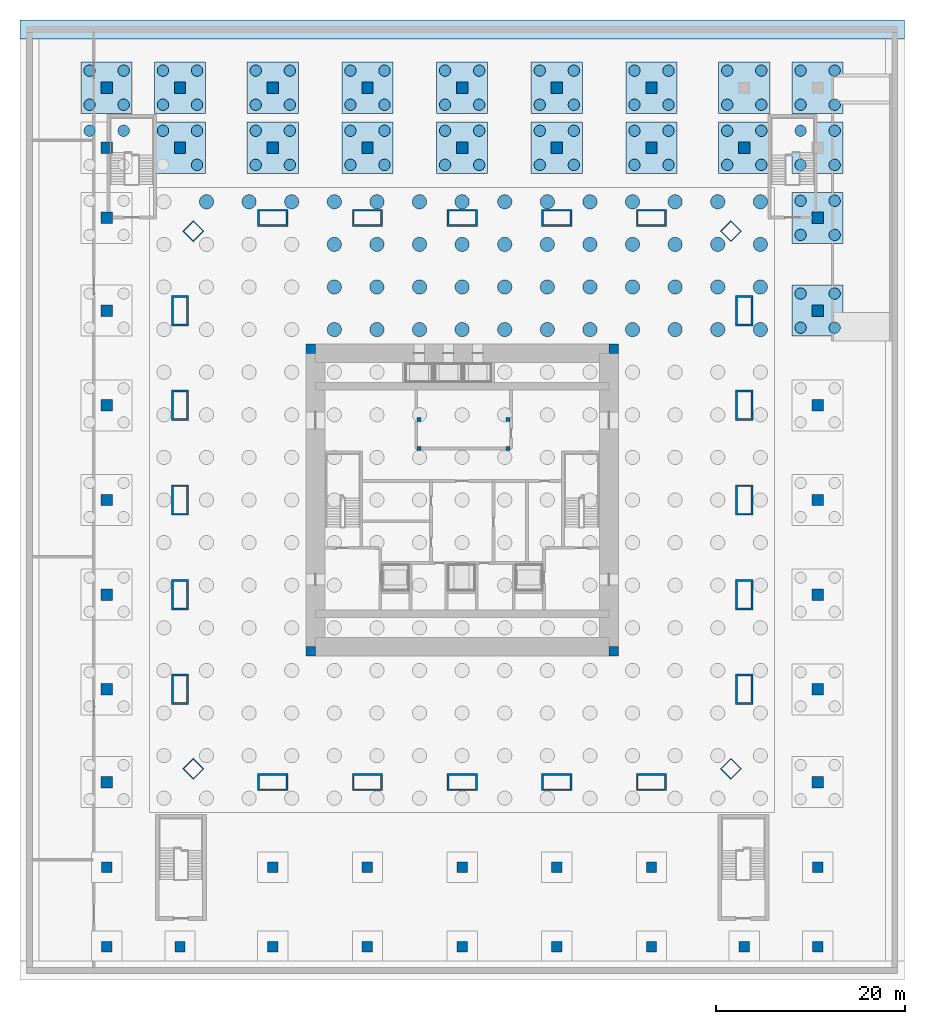
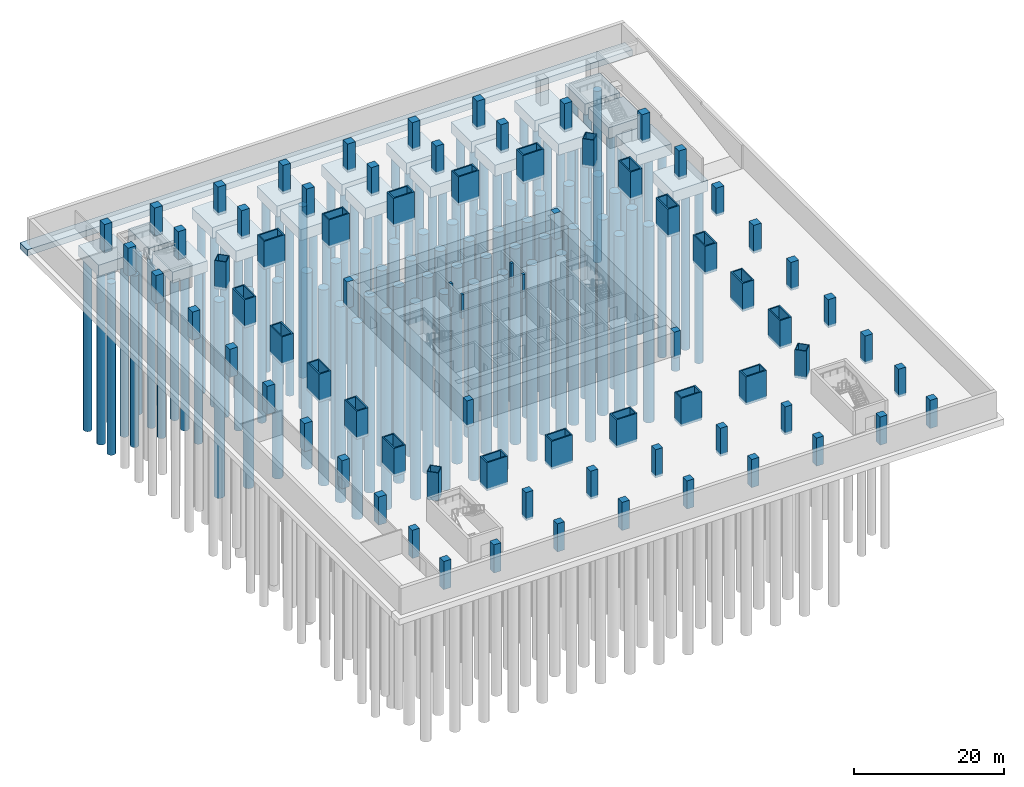
# One storey, part 2 of 11: 124 piles, 77 columns, 20 footings.
"""IFC4 building model written with IfcOpenShell, lengths in metres."""

from ifc_helpers import new_model, si_unit, direction, frame, origin, origin_2d, place, context, subcontext, project, spatial, polyline, rectangle, hollow_rectangle, circle, outline, extrude, material, layer, layer_set, material_profile, profile_set, type_object, element, save


model = new_model("IFC4")

# Units and contexts
model_context = context("Model", 3, precision=1e-05, world=origin(), true_north=direction((0.0, 1.0)))
body_context = subcontext(model_context, "Body", "Model", "MODEL_VIEW")
ifc_project = project(units=[si_unit("LENGTHUNIT", "METRE"), si_unit("AREAUNIT", "SQUARE_METRE"), si_unit("VOLUMEUNIT", "CUBIC_METRE"), si_unit("PLANEANGLEUNIT", "RADIAN"), si_unit("MASSUNIT", "GRAM", prefix="KILO")], contexts=[model_context])

# Site, building, storey
site_placement = place(None, origin())
site = spatial("IfcSite", under=ifc_project, at=site_placement, CompositionType="ELEMENT")
building_placement = place(site_placement, origin())
building = spatial("IfcBuilding", under=site, at=building_placement, Name="Khuree Lantern Residences", CompositionType="ELEMENT")
storey_placement = place(building_placement, frame((0.0, 0.0, -13.199951171875)))
storey = spatial("IfcBuildingStorey", under=building, at=storey_placement, Name="B3", CompositionType="ELEMENT", Elevation=-13.199951171875)

# Piles
ifc_material_1 = material(Name="Concrete C35/45", Category="concrete")
ifc_material_profile_1 = material_profile(ifc_material_1, circle(Radius=0.75, at=origin_2d()), Name="BORED PILE D1500")
ifc_profile_set_1 = profile_set([ifc_material_profile_1], Name="Concrete C35/45")
pile_type_1 = type_object("IfcPileType", Name="BP1 RAFT PILE BORED PILE D1500", PredefinedType="BORED", material=ifc_profile_set_1)
for number, where, z_axis, x_axis, name in (
    (1, (-13.5, 18.0, -4.900146484375), (0.0, 0.0, -1.0), (1.0, 0.0, 0.0), "Raft pile 165"),
    (2, (-9.0, 18.0, -4.900146484375), (0.0, 0.0, -1.0), (1.0, 0.0, 0.0), "Raft pile 166"),
    (3, (-4.5, 18.0, -4.900146484375), (0.0, 0.0, -1.0), (1.0, 0.0, 0.0), "Raft pile 167"),
    (4, (0.0, 18.0, -4.900146484375), (0.0, 0.0, -1.0), (1.0, 0.0, 0.0), "Raft pile 168"),
    (5, (4.5, 18.0, -4.900146484375), (0.0, 0.0, -1.0), (1.0, 0.0, 0.0), "Raft pile 169"),
    (6, (9.0, 18.0, -4.900146484375), (0.0, 0.0, -1.0), (1.0, 0.0, 0.0), "Raft pile 170"),
    (7, (13.5, 18.0, -4.900146484375), (0.0, 0.0, -1.0), (1.0, 0.0, 0.0), "Raft pile 171"),
    (8, (18.0, 18.0, -4.900146484375), (0.0, 0.0, -1.0), (1.0, 0.0, 0.0), "Raft pile 172"),
    (9, (22.5, 18.0, -4.900146484375), (0.0, 0.0, -1.0), (1.0, 0.0, 0.0), "Raft pile 173"),
    (10, (27.0, 18.0, -4.900146484375), (0.0, 0.0, -1.0), (1.0, 0.0, 0.0), "Raft pile 174"),
    (11, (31.5, 18.0, -4.900146484375), (0.0, 0.0, -1.0), (1.0, 0.0, 0.0), "Raft pile 175"),
    (12, (-13.5, 22.5, -4.900146484375), (0.0, 0.0, -1.0), (1.0, 0.0, 0.0), "Raft pile 180"),
    (13, (-9.0, 22.5, -4.900146484375), (0.0, 0.0, -1.0), (1.0, 0.0, 0.0), "Raft pile 181"),
    (14, (-4.5, 22.5, -4.900146484375), (0.0, 0.0, -1.0), (1.0, 0.0, 0.0), "Raft pile 182"),
    (15, (0.0, 22.5, -4.900146484375), (0.0, 0.0, -1.0), (1.0, 0.0, 0.0), "Raft pile 183"),
    (16, (4.5, 22.5, -4.900146484375), (0.0, 0.0, -1.0), (1.0, 0.0, 0.0), "Raft pile 184"),
    (17, (9.0, 22.5, -4.900146484375), (0.0, 0.0, -1.0), (1.0, 0.0, 0.0), "Raft pile 185"),
    (18, (13.5, 22.5, -4.900146484375), (0.0, 0.0, -1.0), (1.0, 0.0, 0.0), "Raft pile 186"),
    (19, (18.0, 22.5, -4.900146484375), (0.0, 0.0, -1.0), (1.0, 0.0, 0.0), "Raft pile 187"),
    (20, (22.5, 22.5, -4.900146484375), (0.0, 0.0, -1.0), (1.0, 0.0, 0.0), "Raft pile 188"),
    (21, (27.0, 22.5, -4.900146484375), (0.0, 0.0, -1.0), (1.0, 0.0, 0.0), "Raft pile 189"),
    (22, (31.5, 22.5, -4.900146484375), (0.0, 0.0, -1.0), (1.0, 0.0, 0.0), "Raft pile 190"),
    (23, (-13.5, 27.0, -4.900146484375), (0.0, 0.0, -1.0), (1.0, 0.0, 0.0), "Raft pile 195"),
    (24, (-9.0, 27.0, -4.900146484375), (0.0, 0.0, -1.0), (1.0, 0.0, 0.0), "Raft pile 196"),
    (25, (-4.5, 27.0, -4.900146484375), (0.0, 0.0, -1.0), (1.0, 0.0, 0.0), "Raft pile 197"),
    (26, (0.0, 27.0, -4.900146484375), (0.0, 0.0, -1.0), (1.0, 0.0, 0.0), "Raft pile 198"),
    (27, (4.5, 27.0, -4.900146484375), (0.0, 0.0, -1.0), (1.0, 0.0, 0.0), "Raft pile 199"),
    (28, (9.0, 27.0, -4.900146484375), (0.0, 0.0, -1.0), (1.0, 0.0, 0.0), "Raft pile 200"),
    (29, (13.5, 27.0, -4.900146484375), (0.0, 0.0, -1.0), (1.0, 0.0, 0.0), "Raft pile 201"),
    (30, (18.0, 27.0, -4.900146484375), (0.0, 0.0, -1.0), (1.0, 0.0, 0.0), "Raft pile 202"),
    (31, (22.5, 27.0, -4.900146484375), (0.0, 0.0, -1.0), (1.0, 0.0, 0.0), "Raft pile 203"),
    (32, (27.0, 27.0, -4.900146484375), (0.0, 0.0, -1.0), (1.0, 0.0, 0.0), "Raft pile 204"),
    (33, (31.5, 27.0, -4.900146484375), (0.0, 0.0, -1.0), (1.0, 0.0, 0.0), "Raft pile 205"),
    (34, (-27.0, 31.5, -4.900146484375), (0.0, 0.0, -1.0), (1.0, 0.0, 0.0), "Raft pile 207"),
    (35, (-22.5, 31.5, -4.900146484375), (0.0, 0.0, -1.0), (1.0, 0.0, 0.0), "Raft pile 208"),
    (36, (-18.0, 31.5, -4.900146484375), (0.0, 0.0, -1.0), (1.0, 0.0, 0.0), "Raft pile 209"),
    (37, (-13.5, 31.5, -4.900146484375), (0.0, 0.0, -1.0), (1.0, 0.0, 0.0), "Raft pile 210"),
    (38, (-9.0, 31.5, -4.900146484375), (0.0, 0.0, -1.0), (1.0, 0.0, 0.0), "Raft pile 211"),
    (39, (-4.5, 31.5, -4.900146484375), (0.0, 0.0, -1.0), (1.0, 0.0, 0.0), "Raft pile 212"),
    (40, (0.0, 31.5, -4.900146484375), (0.0, 0.0, -1.0), (1.0, 0.0, 0.0), "Raft pile 213"),
    (41, (4.5, 31.5, -4.900146484375), (0.0, 0.0, -1.0), (1.0, 0.0, 0.0), "Raft pile 214"),
    (42, (9.0, 31.5, -4.900146484375), (0.0, 0.0, -1.0), (1.0, 0.0, 0.0), "Raft pile 215"),
    (43, (13.5, 31.5, -4.900146484375), (0.0, 0.0, -1.0), (1.0, 0.0, 0.0), "Raft pile 216"),
    (44, (18.0, 31.5, -4.900146484375), (0.0, 0.0, -1.0), (1.0, 0.0, 0.0), "Raft pile 217"),
    (45, (22.5, 31.5, -4.900146484375), (0.0, 0.0, -1.0), (1.0, 0.0, 0.0), "Raft pile 218"),
    (46, (27.0, 31.5, -4.900146484375), (0.0, 0.0, -1.0), (1.0, 0.0, 0.0), "Raft pile 219"),
    (47, (31.5, 31.5, -4.900146484375), (0.0, 0.0, -1.0), (1.0, 0.0, 0.0), "Raft pile 220"),
):
    element("IfcPile", number, at=place(storey_placement, frame(where, z_axis=z_axis, x_axis=x_axis)), inside=storey, type_object=pile_type_1, Name=name, PredefinedType="BORED", context=body_context, shape_type="SweptSolid", body=[
        extrude(circle(Radius=0.75, at=origin_2d()), origin(), (0.0, 0.0, 1.0), 32.0),
    ])
ifc_material_profile_2 = material_profile(ifc_material_1, circle(Radius=0.60009765625, at=origin_2d()), Name="BORED PILE D1200")
ifc_profile_set_2 = profile_set([ifc_material_profile_2], Name="Concrete C35/45")
pile_type_2 = type_object("IfcPileType", Name="BP2 CAP PILE BORED PILE D1200", PredefinedType="BORED", material=ifc_profile_set_2)
for number, where, z_axis, x_axis, name in (
    (48, (35.75, 18.199951171875, -2.199951171875), (0.0, 0.0, -1.0), (1.0, 0.0, 0.0), "Cap pile PCP-28 1"),
    (49, (39.35009765625, 18.199951171875, -2.199951171875), (0.0, 0.0, -1.0), (1.0, 0.0, 0.0), "Cap pile PCP-28 2"),
    (50, (39.35009765625, 21.800048828125, -2.199951171875), (0.0, 0.0, -1.0), (1.0, 0.0, 0.0), "Cap pile PCP-28 3"),
    (51, (35.75, 21.800048828125, -2.199951171875), (0.0, 0.0, -1.0), (1.0, 0.0, 0.0), "Cap pile PCP-28 4"),
    (52, (35.75, 28.0, -2.199951171875), (0.0, 0.0, -1.0), (1.0, 0.0, 0.0), "Cap pile PCP-30 1"),
    (53, (39.35009765625, 28.0, -2.199951171875), (0.0, 0.0, -1.0), (1.0, 0.0, 0.0), "Cap pile PCP-30 2"),
    (54, (39.35009765625, 31.60009765625, -2.199951171875), (0.0, 0.0, -1.0), (1.0, 0.0, 0.0), "Cap pile PCP-30 3"),
    (55, (35.75, 31.60009765625, -2.199951171875), (0.0, 0.0, -1.0), (1.0, 0.0, 0.0), "Cap pile PCP-30 4"),
    (56, (-35.75, 39.0, -2.199951171875), (0.0, 0.0, -1.0), (1.0, 0.0, 0.0), "Cap pile PCP-31 3"),
    (57, (-39.35009765625, 39.0, -2.199951171875), (0.0, 0.0, -1.0), (1.0, 0.0, 0.0), "Cap pile PCP-31 4"),
    (58, (-28.0, 35.39990234375, -2.199951171875), (0.0, 0.0, -1.0), (1.0, 0.0, 0.0), "Cap pile PCP-32 2"),
    (59, (-28.0, 39.0, -2.199951171875), (0.0, 0.0, -1.0), (1.0, 0.0, 0.0), "Cap pile PCP-32 3"),
    (60, (-31.60009765625, 39.0, -2.199951171875), (0.0, 0.0, -1.0), (1.0, 0.0, 0.0), "Cap pile PCP-32 4"),
    (61, (-21.800048828125, 35.39990234375, -2.199951171875), (0.0, 0.0, -1.0), (1.0, 0.0, 0.0), "Cap pile PCP-33 1"),
    (62, (-18.199951171875, 35.39990234375, -2.199951171875), (0.0, 0.0, -1.0), (1.0, 0.0, 0.0), "Cap pile PCP-33 2"),
    (63, (-18.199951171875, 39.0, -2.199951171875), (0.0, 0.0, -1.0), (1.0, 0.0, 0.0), "Cap pile PCP-33 3"),
    (64, (-21.800048828125, 39.0, -2.199951171875), (0.0, 0.0, -1.0), (1.0, 0.0, 0.0), "Cap pile PCP-33 4"),
    (65, (-11.800048828125, 35.39990234375, -2.199951171875), (0.0, 0.0, -1.0), (1.0, 0.0, 0.0), "Cap pile PCP-34 1"),
    (66, (-8.199951171875, 35.39990234375, -2.199951171875), (0.0, 0.0, -1.0), (1.0, 0.0, 0.0), "Cap pile PCP-34 2"),
    (67, (-8.199951171875, 39.0, -2.199951171875), (0.0, 0.0, -1.0), (1.0, 0.0, 0.0), "Cap pile PCP-34 3"),
    (68, (-11.800048828125, 39.0, -2.199951171875), (0.0, 0.0, -1.0), (1.0, 0.0, 0.0), "Cap pile PCP-34 4"),
    (69, (-1.800048828125, 35.39990234375, -2.199951171875), (0.0, 0.0, -1.0), (1.0, 0.0, 0.0), "Cap pile PCP-35 1"),
    (70, (1.800048828125, 35.39990234375, -2.199951171875), (0.0, 0.0, -1.0), (1.0, 0.0, 0.0), "Cap pile PCP-35 2"),
    (71, (1.800048828125, 39.0, -2.199951171875), (0.0, 0.0, -1.0), (1.0, 0.0, 0.0), "Cap pile PCP-35 3"),
    (72, (-1.800048828125, 39.0, -2.199951171875), (0.0, 0.0, -1.0), (1.0, 0.0, 0.0), "Cap pile PCP-35 4"),
    (73, (8.199951171875, 35.39990234375, -2.199951171875), (0.0, 0.0, -1.0), (1.0, 0.0, 0.0), "Cap pile PCP-36 1"),
    (74, (11.800048828125, 35.39990234375, -2.199951171875), (0.0, 0.0, -1.0), (1.0, 0.0, 0.0), "Cap pile PCP-36 2"),
    (75, (11.800048828125, 39.0, -2.199951171875), (0.0, 0.0, -1.0), (1.0, 0.0, 0.0), "Cap pile PCP-36 3"),
    (76, (8.199951171875, 39.0, -2.199951171875), (0.0, 0.0, -1.0), (1.0, 0.0, 0.0), "Cap pile PCP-36 4"),
    (77, (18.199951171875, 35.39990234375, -2.199951171875), (0.0, 0.0, -1.0), (1.0, 0.0, 0.0), "Cap pile PCP-37 1"),
    (78, (21.800048828125, 35.39990234375, -2.199951171875), (0.0, 0.0, -1.0), (1.0, 0.0, 0.0), "Cap pile PCP-37 2"),
    (79, (21.800048828125, 39.0, -2.199951171875), (0.0, 0.0, -1.0), (1.0, 0.0, 0.0), "Cap pile PCP-37 3"),
    (80, (18.199951171875, 39.0, -2.199951171875), (0.0, 0.0, -1.0), (1.0, 0.0, 0.0), "Cap pile PCP-37 4"),
    (81, (28.0, 35.39990234375, -2.199951171875), (0.0, 0.0, -1.0), (1.0, 0.0, 0.0), "Cap pile PCP-38 1"),
    (82, (31.60009765625, 35.39990234375, -2.199951171875), (0.0, 0.0, -1.0), (1.0, 0.0, 0.0), "Cap pile PCP-38 2"),
    (83, (31.60009765625, 39.0, -2.199951171875), (0.0, 0.0, -1.0), (1.0, 0.0, 0.0), "Cap pile PCP-38 3"),
    (84, (28.0, 39.0, -2.199951171875), (0.0, 0.0, -1.0), (1.0, 0.0, 0.0), "Cap pile PCP-38 4"),
    (85, (35.75, 35.39990234375, -2.199951171875), (0.0, 0.0, -1.0), (1.0, 0.0, 0.0), "Cap pile PCP-39 1"),
    (86, (39.35009765625, 35.39990234375, -2.199951171875), (0.0, 0.0, -1.0), (1.0, 0.0, 0.0), "Cap pile PCP-39 2"),
    (87, (39.35009765625, 39.0, -2.199951171875), (0.0, 0.0, -1.0), (1.0, 0.0, 0.0), "Cap pile PCP-39 3"),
    (88, (35.75, 39.0, -2.199951171875), (0.0, 0.0, -1.0), (1.0, 0.0, 0.0), "Cap pile PCP-39 4"),
    (89, (-39.35009765625, 41.75, -2.199951171875), (0.0, 0.0, -1.0), (1.0, 0.0, 0.0), "Cap pile PCP-40 1"),
    (90, (-35.75, 41.75, -2.199951171875), (0.0, 0.0, -1.0), (1.0, 0.0, 0.0), "Cap pile PCP-40 2"),
    (91, (-35.75, 45.35009765625, -2.199951171875), (0.0, 0.0, -1.0), (1.0, 0.0, 0.0), "Cap pile PCP-40 3"),
    (92, (-39.35009765625, 45.35009765625, -2.199951171875), (0.0, 0.0, -1.0), (1.0, 0.0, 0.0), "Cap pile PCP-40 4"),
    (93, (-31.60009765625, 41.75, -2.199951171875), (0.0, 0.0, -1.0), (1.0, 0.0, 0.0), "Cap pile PCP-41 1"),
    (94, (-28.0, 41.75, -2.199951171875), (0.0, 0.0, -1.0), (1.0, 0.0, 0.0), "Cap pile PCP-41 2"),
    (95, (-28.0, 45.35009765625, -2.199951171875), (0.0, 0.0, -1.0), (1.0, 0.0, 0.0), "Cap pile PCP-41 3"),
    (96, (-31.60009765625, 45.35009765625, -2.199951171875), (0.0, 0.0, -1.0), (1.0, 0.0, 0.0), "Cap pile PCP-41 4"),
    (97, (-21.800048828125, 41.75, -2.199951171875), (0.0, 0.0, -1.0), (1.0, 0.0, 0.0), "Cap pile PCP-42 1"),
    (98, (-18.199951171875, 41.75, -2.199951171875), (0.0, 0.0, -1.0), (1.0, 0.0, 0.0), "Cap pile PCP-42 2"),
    (99, (-18.199951171875, 45.35009765625, -2.199951171875), (0.0, 0.0, -1.0), (1.0, 0.0, 0.0), "Cap pile PCP-42 3"),
    (100, (-21.800048828125, 45.35009765625, -2.199951171875), (0.0, 0.0, -1.0), (1.0, 0.0, 0.0), "Cap pile PCP-42 4"),
    (101, (-11.800048828125, 41.75, -2.199951171875), (0.0, 0.0, -1.0), (1.0, 0.0, 0.0), "Cap pile PCP-43 1"),
    (102, (-8.199951171875, 41.75, -2.199951171875), (0.0, 0.0, -1.0), (1.0, 0.0, 0.0), "Cap pile PCP-43 2"),
    (103, (-8.199951171875, 45.35009765625, -2.199951171875), (0.0, 0.0, -1.0), (1.0, 0.0, 0.0), "Cap pile PCP-43 3"),
    (104, (-11.800048828125, 45.35009765625, -2.199951171875), (0.0, 0.0, -1.0), (1.0, 0.0, 0.0), "Cap pile PCP-43 4"),
    (105, (-1.800048828125, 41.75, -2.199951171875), (0.0, 0.0, -1.0), (1.0, 0.0, 0.0), "Cap pile PCP-44 1"),
    (106, (1.800048828125, 41.75, -2.199951171875), (0.0, 0.0, -1.0), (1.0, 0.0, 0.0), "Cap pile PCP-44 2"),
    (107, (1.800048828125, 45.35009765625, -2.199951171875), (0.0, 0.0, -1.0), (1.0, 0.0, 0.0), "Cap pile PCP-44 3"),
    (108, (-1.800048828125, 45.35009765625, -2.199951171875), (0.0, 0.0, -1.0), (1.0, 0.0, 0.0), "Cap pile PCP-44 4"),
    (109, (8.199951171875, 41.75, -2.199951171875), (0.0, 0.0, -1.0), (1.0, 0.0, 0.0), "Cap pile PCP-45 1"),
    (110, (11.800048828125, 41.75, -2.199951171875), (0.0, 0.0, -1.0), (1.0, 0.0, 0.0), "Cap pile PCP-45 2"),
    (111, (11.800048828125, 45.35009765625, -2.199951171875), (0.0, 0.0, -1.0), (1.0, 0.0, 0.0), "Cap pile PCP-45 3"),
    (112, (8.199951171875, 45.35009765625, -2.199951171875), (0.0, 0.0, -1.0), (1.0, 0.0, 0.0), "Cap pile PCP-45 4"),
    (113, (18.199951171875, 41.75, -2.199951171875), (0.0, 0.0, -1.0), (1.0, 0.0, 0.0), "Cap pile PCP-46 1"),
    (114, (21.800048828125, 41.75, -2.199951171875), (0.0, 0.0, -1.0), (1.0, 0.0, 0.0), "Cap pile PCP-46 2"),
    (115, (21.800048828125, 45.35009765625, -2.199951171875), (0.0, 0.0, -1.0), (1.0, 0.0, 0.0), "Cap pile PCP-46 3"),
    (116, (18.199951171875, 45.35009765625, -2.199951171875), (0.0, 0.0, -1.0), (1.0, 0.0, 0.0), "Cap pile PCP-46 4"),
    (117, (28.0, 41.75, -2.199951171875), (0.0, 0.0, -1.0), (1.0, 0.0, 0.0), "Cap pile PCP-47 1"),
    (118, (31.60009765625, 41.75, -2.199951171875), (0.0, 0.0, -1.0), (1.0, 0.0, 0.0), "Cap pile PCP-47 2"),
    (119, (31.60009765625, 45.35009765625, -2.199951171875), (0.0, 0.0, -1.0), (1.0, 0.0, 0.0), "Cap pile PCP-47 3"),
    (120, (28.0, 45.35009765625, -2.199951171875), (0.0, 0.0, -1.0), (1.0, 0.0, 0.0), "Cap pile PCP-47 4"),
    (121, (35.75, 41.75, -2.199951171875), (0.0, 0.0, -1.0), (1.0, 0.0, 0.0), "Cap pile PCP-48 1"),
    (122, (39.35009765625, 41.75, -2.199951171875), (0.0, 0.0, -1.0), (1.0, 0.0, 0.0), "Cap pile PCP-48 2"),
    (123, (39.35009765625, 45.35009765625, -2.199951171875), (0.0, 0.0, -1.0), (1.0, 0.0, 0.0), "Cap pile PCP-48 3"),
    (124, (35.75, 45.35009765625, -2.199951171875), (0.0, 0.0, -1.0), (1.0, 0.0, 0.0), "Cap pile PCP-48 4"),
):
    element("IfcPile", number, at=place(storey_placement, frame(where, z_axis=z_axis, x_axis=x_axis)), inside=storey, type_object=pile_type_2, Name=name, PredefinedType="BORED", context=body_context, shape_type="SweptSolid", body=[
        extrude(circle(Radius=0.60009765625, at=origin_2d()), origin(), (0.0, 0.0, 1.0), 28.0),
    ])

# Footings
ifc_material_2 = material(Name="Concrete C40/50", Category="concrete")
ifc_layer_1 = layer(ifc_material_2, 1.800048828125)
ifc_layer_set_1 = layer_set([ifc_layer_1], Name="CAP4 FOUR-PILE CAP")
footing_type_1 = type_object("IfcFootingType", Name="CAP4 FOUR-PILE CAP", PredefinedType="PILE_CAP", material=ifc_layer_set_1)
for number, where, z_axis, x_axis, name in (
    (125, (37.550048828125, 20.0, -2.2001953125), (0.0, 0.0, 1.0), (1.0, 0.0, 0.0), "Pile cap PCP-28"),
    (126, (37.550048828125, 29.800048828125, -2.2001953125), (0.0, 0.0, 1.0), (1.0, 0.0, 0.0), "Pile cap PCP-30"),
    (127, (-29.800048828125, 37.199951171875, -2.2001953125), (0.0, 0.0, 1.0), (1.0, 0.0, 0.0), "Pile cap PCP-32"),
    (128, (-20.0, 37.199951171875, -2.2001953125), (0.0, 0.0, 1.0), (1.0, 0.0, 0.0), "Pile cap PCP-33"),
    (129, (-10.0, 37.199951171875, -2.2001953125), (0.0, 0.0, 1.0), (1.0, 0.0, 0.0), "Pile cap PCP-34"),
    (130, (0.0, 37.199951171875, -2.2001953125), (0.0, 0.0, 1.0), (1.0, 0.0, 0.0), "Pile cap PCP-35"),
    (131, (10.0, 37.199951171875, -2.2001953125), (0.0, 0.0, 1.0), (1.0, 0.0, 0.0), "Pile cap PCP-36"),
    (132, (20.0, 37.199951171875, -2.2001953125), (0.0, 0.0, 1.0), (1.0, 0.0, 0.0), "Pile cap PCP-37"),
    (133, (29.800048828125, 37.199951171875, -2.2001953125), (0.0, 0.0, 1.0), (1.0, 0.0, 0.0), "Pile cap PCP-38"),
    (134, (37.550048828125, 37.199951171875, -2.2001953125), (0.0, 0.0, 1.0), (1.0, 0.0, 0.0), "Pile cap PCP-39"),
    (135, (-37.550048828125, 43.550048828125, -2.2001953125), (0.0, 0.0, 1.0), (1.0, 0.0, 0.0), "Pile cap PCP-40"),
    (136, (-29.800048828125, 43.550048828125, -2.2001953125), (0.0, 0.0, 1.0), (1.0, 0.0, 0.0), "Pile cap PCP-41"),
    (137, (-20.0, 43.550048828125, -2.2001953125), (0.0, 0.0, 1.0), (1.0, 0.0, 0.0), "Pile cap PCP-42"),
    (138, (-10.0, 43.550048828125, -2.2001953125), (0.0, 0.0, 1.0), (1.0, 0.0, 0.0), "Pile cap PCP-43"),
    (139, (0.0, 43.550048828125, -2.2001953125), (0.0, 0.0, 1.0), (1.0, 0.0, 0.0), "Pile cap PCP-44"),
    (140, (10.0, 43.550048828125, -2.2001953125), (0.0, 0.0, 1.0), (1.0, 0.0, 0.0), "Pile cap PCP-45"),
    (141, (20.0, 43.550048828125, -2.2001953125), (0.0, 0.0, 1.0), (1.0, 0.0, 0.0), "Pile cap PCP-46"),
    (142, (29.800048828125, 43.550048828125, -2.2001953125), (0.0, 0.0, 1.0), (1.0, 0.0, 0.0), "Pile cap PCP-47"),
    (143, (37.550048828125, 43.550048828125, -2.2001953125), (0.0, 0.0, 1.0), (1.0, 0.0, 0.0), "Pile cap PCP-48"),
):
    element("IfcFooting", number, at=place(storey_placement, frame(where, z_axis=z_axis, x_axis=x_axis)), inside=storey, type_object=footing_type_1, Name=name, PredefinedType="PILE_CAP", context=body_context, shape_type="SweptSolid", body=[
        extrude(rectangle(XDim=5.39990234375, YDim=5.39990234375, at=origin_2d()), origin(), (0.0, 0.0, 1.0), 1.800048828125),
    ])
ifc_layer_2 = layer(ifc_material_2, 1.0)
ifc_layer_set_2 = layer_set([ifc_layer_2], Name="SF1 STRIP FOOTING")
footing_type_2 = type_object("IfcFootingType", Name="SF1 STRIP FOOTING", PredefinedType="STRIP_FOOTING", material=ifc_layer_set_2)
footing_placement = place(storey_placement, frame((0.0, 0.0, -1.400146484375)))
element("IfcFooting", 144, at=footing_placement, inside=storey, type_object=footing_type_2, Name="Strip footing N", PredefinedType="STRIP_FOOTING", context=body_context, shape_type="SweptSolid", body=[
    extrude(outline(polyline([(46.699951171875, 48.699951171875), (-46.699951171875, 48.699951171875), (-46.699951171875, 50.699951171875), (46.699951171875, 50.699951171875), (46.699951171875, 48.699951171875)])), origin(), (0.0, 0.0, 1.0), 1.0),
])

# Columns
ifc_material_3 = material(Name="Steel S355 CFT welded box", Category="steel")
ifc_material_profile_3 = material_profile(ifc_material_3, hollow_rectangle(XDim=1.60009765625, YDim=1.60009765625, WallThickness=0.10009765625, at=origin_2d()), Name="WELDED BOX 1600X1600X100")
ifc_profile_set_3 = profile_set([ifc_material_profile_3], Name="Steel S355 CFT welded box")
column_type_1 = type_object("IfcColumnType", Name="CC1600 PERIMETER CORNER MEGA COLUMN WELDED BOX 1600X1600X100", PredefinedType="COLUMN", material=ifc_profile_set_3)
for number, where, z_axis, x_axis, name in (
    (145, (28.39404296875, 28.39404296875, -0.400146484375), (0.0, 0.0, 1.0), (0.707106781187, -0.707106781187, 0.0), "Perimeter column NE"),
    (146, (28.39404296875, -28.39404296875, -0.400146484375), (0.0, 0.0, 1.0), (0.707106781187, 0.707106781187, 0.0), "Perimeter column SE"),
    (147, (-28.39404296875, -28.39404296875, -0.400146484375), (0.0, 0.0, 1.0), (0.707106781187, -0.707106781187, 0.0), "Perimeter column SW"),
    (148, (-28.39404296875, 28.39404296875, -0.400146484375), (0.0, 0.0, 1.0), (0.707106781187, 0.707106781187, 0.0), "Perimeter column NW"),
):
    element("IfcColumn", number, at=place(storey_placement, frame(where, z_axis=z_axis, x_axis=x_axis)), inside=storey, type_object=column_type_1, Name=name, PredefinedType="COLUMN", context=body_context, shape_type="SweptSolid", body=[
        extrude(hollow_rectangle(XDim=1.60009765625, YDim=1.60009765625, WallThickness=0.10009765625, at=origin_2d()), origin(), (0.0, 0.0, 1.0), 4.60009765625),
    ])
ifc_material_4 = material(Name="Concrete C70/85", Category="concrete")
ifc_material_profile_4 = material_profile(ifc_material_4, rectangle(XDim=1.0, YDim=1.0, at=origin_2d()), Name="RC 1000X1000")
ifc_profile_set_4 = profile_set([ifc_material_profile_4], Name="Concrete C70/85")
column_type_2 = type_object("IfcColumnType", Name="CP1000-C70 CORE CORNER PIER C70 RC 1000X1000", PredefinedType="COLUMN", material=ifc_profile_set_4)
for number, where, z_axis, x_axis, name in (
    (149, (16.0, 16.0, -0.400146484375), (0.0, 0.0, 1.0), (1.0, 0.0, 0.0), "Core corner pier NE"),
    (150, (-16.0, 16.0, -0.400146484375), (0.0, 0.0, 1.0), (1.0, 0.0, 0.0), "Core corner pier NW"),
    (151, (-16.0, -16.0, -0.400146484375), (0.0, 0.0, 1.0), (1.0, 0.0, 0.0), "Core corner pier SW"),
    (152, (16.0, -16.0, -0.400146484375), (0.0, 0.0, 1.0), (1.0, 0.0, 0.0), "Core corner pier SE"),
):
    element("IfcColumn", number, at=place(storey_placement, frame(where, z_axis=z_axis, x_axis=x_axis)), inside=storey, type_object=column_type_2, Name=name, PredefinedType="COLUMN", context=body_context, shape_type="SweptSolid", body=[
        extrude(rectangle(XDim=1.0, YDim=1.0, at=origin_2d()), origin(), (0.0, 0.0, 1.0), 4.300048828125),
    ])
ifc_material_profile_5 = material_profile(ifc_material_4, rectangle(XDim=1.199951171875, YDim=1.199951171875, at=origin_2d()), Name="RC 1200X1200")
ifc_profile_set_5 = profile_set([ifc_material_profile_5], Name="Concrete C70/85")
column_type_3 = type_object("IfcColumnType", Name="GC1 PODIUM COLUMN RC 1200X1200", PredefinedType="COLUMN", material=ifc_profile_set_5)
for number, where, z_axis, x_axis, name in (
    (153, (-37.550048828125, -29.800048828125, -0.400146484375), (0.0, 0.0, 1.0), (1.0, 0.0, 0.0), "Column GC-17"),
    (154, (37.550048828125, -29.800048828125, -0.400146484375), (0.0, 0.0, 1.0), (1.0, 0.0, 0.0), "Column GC-18"),
    (155, (-37.550048828125, -20.0, -0.400146484375), (0.0, 0.0, 1.0), (1.0, 0.0, 0.0), "Column GC-19"),
    (156, (37.550048828125, -20.0, -0.400146484375), (0.0, 0.0, 1.0), (1.0, 0.0, 0.0), "Column GC-20"),
    (157, (-37.550048828125, -10.0, -0.400146484375), (0.0, 0.0, 1.0), (1.0, 0.0, 0.0), "Column GC-21"),
    (158, (37.550048828125, -10.0, -0.400146484375), (0.0, 0.0, 1.0), (1.0, 0.0, 0.0), "Column GC-22"),
    (159, (-37.550048828125, 0.0, -0.400146484375), (0.0, 0.0, 1.0), (1.0, 0.0, 0.0), "Column GC-23"),
    (160, (37.550048828125, 0.0, -0.400146484375), (0.0, 0.0, 1.0), (1.0, 0.0, 0.0), "Column GC-24"),
    (161, (-37.550048828125, 10.0, -0.400146484375), (0.0, 0.0, 1.0), (1.0, 0.0, 0.0), "Column GC-25"),
    (162, (37.550048828125, 10.0, -0.400146484375), (0.0, 0.0, 1.0), (1.0, 0.0, 0.0), "Column GC-26"),
    (163, (-37.550048828125, 20.0, -0.400146484375), (0.0, 0.0, 1.0), (1.0, 0.0, 0.0), "Column GC-27"),
    (164, (37.550048828125, 20.0, -0.400146484375), (0.0, 0.0, 1.0), (1.0, 0.0, 0.0), "Column GC-28"),
    (165, (-37.550048828125, 29.800048828125, -0.400146484375), (0.0, 0.0, 1.0), (1.0, 0.0, 0.0), "Column GC-29"),
    (166, (37.550048828125, 29.800048828125, -0.400146484375), (0.0, 0.0, 1.0), (1.0, 0.0, 0.0), "Column GC-30"),
    (167, (-37.550048828125, 37.199951171875, -0.400146484375), (0.0, 0.0, 1.0), (1.0, 0.0, 0.0), "Column GC-31"),
    (168, (-29.800048828125, 37.199951171875, -0.400146484375), (0.0, 0.0, 1.0), (1.0, 0.0, 0.0), "Column GC-32"),
    (169, (-20.0, 37.199951171875, -0.400146484375), (0.0, 0.0, 1.0), (1.0, 0.0, 0.0), "Column GC-33"),
    (170, (-10.0, 37.199951171875, -0.400146484375), (0.0, 0.0, 1.0), (1.0, 0.0, 0.0), "Column GC-34"),
    (171, (0.0, 37.199951171875, -0.400146484375), (0.0, 0.0, 1.0), (1.0, 0.0, 0.0), "Column GC-35"),
    (172, (10.0, 37.199951171875, -0.400146484375), (0.0, 0.0, 1.0), (1.0, 0.0, 0.0), "Column GC-36"),
    (173, (20.0, 37.199951171875, -0.400146484375), (0.0, 0.0, 1.0), (1.0, 0.0, 0.0), "Column GC-37"),
    (174, (29.800048828125, 37.199951171875, -0.400146484375), (0.0, 0.0, 1.0), (1.0, 0.0, 0.0), "Column GC-38"),
    (175, (-37.550048828125, 43.550048828125, -0.400146484375), (0.0, 0.0, 1.0), (1.0, 0.0, 0.0), "Column GC-40"),
    (176, (-29.800048828125, 43.550048828125, -0.400146484375), (0.0, 0.0, 1.0), (1.0, 0.0, 0.0), "Column GC-41"),
    (177, (-20.0, 43.550048828125, -0.400146484375), (0.0, 0.0, 1.0), (1.0, 0.0, 0.0), "Column GC-42"),
    (178, (-10.0, 43.550048828125, -0.400146484375), (0.0, 0.0, 1.0), (1.0, 0.0, 0.0), "Column GC-43"),
    (179, (0.0, 43.550048828125, -0.400146484375), (0.0, 0.0, 1.0), (1.0, 0.0, 0.0), "Column GC-44"),
    (180, (10.0, 43.550048828125, -0.400146484375), (0.0, 0.0, 1.0), (1.0, 0.0, 0.0), "Column GC-45"),
    (181, (20.0, 43.550048828125, -0.400146484375), (0.0, 0.0, 1.0), (1.0, 0.0, 0.0), "Column GC-46"),
):
    element("IfcColumn", number, at=place(storey_placement, frame(where, z_axis=z_axis, x_axis=x_axis)), inside=storey, type_object=column_type_3, Name=name, PredefinedType="COLUMN", context=body_context, shape_type="SweptSolid", body=[
        extrude(rectangle(XDim=1.199951171875, YDim=1.199951171875, at=origin_2d()), origin(), (0.0, 0.0, 1.0), 4.60009765625),
    ])
ifc_material_profile_6 = material_profile(ifc_material_4, rectangle(XDim=1.10009765625, YDim=1.10009765625, at=origin_2d()), Name="RC 1100X1100")
ifc_profile_set_6 = profile_set([ifc_material_profile_6], Name="Concrete C70/85")
column_type_4 = type_object("IfcColumnType", Name="GC2 BASEMENT COLUMN RC 1100X1100", PredefinedType="COLUMN", material=ifc_profile_set_6)
for number, where, z_axis, x_axis, name in (
    (182, (-37.550048828125, -47.199951171875, -0.400146484375), (0.0, 0.0, 1.0), (1.0, 0.0, 0.0), "Column GC-1"),
    (183, (-29.800048828125, -47.199951171875, -0.400146484375), (0.0, 0.0, 1.0), (1.0, 0.0, 0.0), "Column GC-2"),
    (184, (-20.0, -47.199951171875, -0.400146484375), (0.0, 0.0, 1.0), (1.0, 0.0, 0.0), "Column GC-3"),
    (185, (-10.0, -47.199951171875, -0.400146484375), (0.0, 0.0, 1.0), (1.0, 0.0, 0.0), "Column GC-4"),
    (186, (0.0, -47.199951171875, -0.400146484375), (0.0, 0.0, 1.0), (1.0, 0.0, 0.0), "Column GC-5"),
    (187, (10.0, -47.199951171875, -0.400146484375), (0.0, 0.0, 1.0), (1.0, 0.0, 0.0), "Column GC-6"),
    (188, (20.0, -47.199951171875, -0.400146484375), (0.0, 0.0, 1.0), (1.0, 0.0, 0.0), "Column GC-7"),
    (189, (29.800048828125, -47.199951171875, -0.400146484375), (0.0, 0.0, 1.0), (1.0, 0.0, 0.0), "Column GC-8"),
    (190, (37.550048828125, -47.199951171875, -0.400146484375), (0.0, 0.0, 1.0), (1.0, 0.0, 0.0), "Column GC-9"),
    (191, (-37.550048828125, -38.800048828125, -0.400146484375), (0.0, 0.0, 1.0), (1.0, 0.0, 0.0), "Column GC-10"),
    (192, (-20.0, -38.800048828125, -0.400146484375), (0.0, 0.0, 1.0), (1.0, 0.0, 0.0), "Column GC-11"),
    (193, (-10.0, -38.800048828125, -0.400146484375), (0.0, 0.0, 1.0), (1.0, 0.0, 0.0), "Column GC-12"),
    (194, (0.0, -38.800048828125, -0.400146484375), (0.0, 0.0, 1.0), (1.0, 0.0, 0.0), "Column GC-13"),
    (195, (10.0, -38.800048828125, -0.400146484375), (0.0, 0.0, 1.0), (1.0, 0.0, 0.0), "Column GC-14"),
    (196, (20.0, -38.800048828125, -0.400146484375), (0.0, 0.0, 1.0), (1.0, 0.0, 0.0), "Column GC-15"),
    (197, (37.550048828125, -38.800048828125, -0.400146484375), (0.0, 0.0, 1.0), (1.0, 0.0, 0.0), "Column GC-16"),
):
    element("IfcColumn", number, at=place(storey_placement, frame(where, z_axis=z_axis, x_axis=x_axis)), inside=storey, type_object=column_type_4, Name=name, PredefinedType="COLUMN", context=body_context, shape_type="SweptSolid", body=[
        extrude(rectangle(XDim=1.10009765625, YDim=1.10009765625, at=origin_2d()), origin(), (0.0, 0.0, 1.0), 4.60009765625),
    ])
ifc_material_profile_7 = material_profile(ifc_material_2, rectangle(XDim=0.39990234375, YDim=0.39990234375, at=origin_2d()), Name="RC 400X400")
ifc_profile_set_7 = profile_set([ifc_material_profile_7], Name="Concrete C40/50")
column_type_5 = type_object("IfcColumnType", Name="LIFT PIT COLUMN PP2 RC 400X400", PredefinedType="COLUMN", material=ifc_profile_set_7)
for number, where, z_axis, x_axis, name in (
    (198, (-4.550048828125, 5.449951171875, 0.0), (0.0, 0.0, 1.0), (1.0, 0.0, 0.0), "Lift bank PH pit column"),
    (199, (4.85009765625, 5.449951171875, 0.0), (0.0, 0.0, 1.0), (1.0, 0.0, 0.0), "Lift bank PH pit column"),
    (200, (-4.550048828125, 8.5, 0.0), (0.0, 0.0, 1.0), (1.0, 0.0, 0.0), "Lift bank PH pit column"),
    (201, (4.85009765625, 8.5, 0.0), (0.0, 0.0, 1.0), (1.0, 0.0, 0.0), "Lift bank PH pit column"),
):
    element("IfcColumn", number, at=place(storey_placement, frame(where, z_axis=z_axis, x_axis=x_axis)), inside=storey, type_object=column_type_5, Name=name, PredefinedType="COLUMN", context=body_context, shape_type="SweptSolid", body=[
        extrude(rectangle(XDim=0.39990234375, YDim=0.39990234375, at=origin_2d()), origin(), (0.0, 0.0, 1.0), 3.89990234375),
    ])
ifc_material_profile_8 = material_profile(ifc_material_3, hollow_rectangle(XDim=3.199951171875, YDim=1.800048828125, WallThickness=0.199951171875, at=origin_2d()), Name="WELDED BOX 3200X1800X200")
ifc_profile_set_8 = profile_set([ifc_material_profile_8], Name="Steel S355 CFT welded box")
column_type_6 = type_object("IfcColumnType", Name="SC1 PERIMETER MEGA COLUMN WELDED BOX 3200X1800X200", PredefinedType="COLUMN", material=ifc_profile_set_8)
for number, where, z_axis, x_axis, name in (
    (202, (-20.0, 29.800048828125, -0.400146484375), (0.0, 0.0, 1.0), (1.0, 0.0, 0.0), "Perimeter column N1"),
    (203, (-10.0, 29.800048828125, -0.400146484375), (0.0, 0.0, 1.0), (1.0, 0.0, 0.0), "Perimeter column N2"),
    (204, (0.0, 29.800048828125, -0.400146484375), (0.0, 0.0, 1.0), (1.0, 0.0, 0.0), "Perimeter column N3"),
    (205, (10.0, 29.800048828125, -0.400146484375), (0.0, 0.0, 1.0), (1.0, 0.0, 0.0), "Perimeter column N4"),
    (206, (20.0, 29.800048828125, -0.400146484375), (0.0, 0.0, 1.0), (1.0, 0.0, 0.0), "Perimeter column N5"),
    (207, (29.800048828125, 20.0, -0.400146484375), (0.0, 0.0, 1.0), (0.0, 1.0, 0.0), "Perimeter column E1"),
    (208, (29.800048828125, 10.0, -0.400146484375), (0.0, 0.0, 1.0), (0.0, 1.0, 0.0), "Perimeter column E2"),
    (209, (29.800048828125, 0.0, -0.400146484375), (0.0, 0.0, 1.0), (0.0, 1.0, 0.0), "Perimeter column E3"),
    (210, (29.800048828125, -10.0, -0.400146484375), (0.0, 0.0, 1.0), (0.0, 1.0, 0.0), "Perimeter column E4"),
    (211, (29.800048828125, -20.0, -0.400146484375), (0.0, 0.0, 1.0), (0.0, 1.0, 0.0), "Perimeter column E5"),
    (212, (20.0, -29.800048828125, -0.400146484375), (0.0, 0.0, 1.0), (1.0, 0.0, 0.0), "Perimeter column S1"),
    (213, (10.0, -29.800048828125, -0.400146484375), (0.0, 0.0, 1.0), (1.0, 0.0, 0.0), "Perimeter column S2"),
    (214, (0.0, -29.800048828125, -0.400146484375), (0.0, 0.0, 1.0), (1.0, 0.0, 0.0), "Perimeter column S3"),
    (215, (-10.0, -29.800048828125, -0.400146484375), (0.0, 0.0, 1.0), (1.0, 0.0, 0.0), "Perimeter column S4"),
    (216, (-20.0, -29.800048828125, -0.400146484375), (0.0, 0.0, 1.0), (1.0, 0.0, 0.0), "Perimeter column S5"),
    (217, (-29.800048828125, -20.0, -0.400146484375), (0.0, 0.0, 1.0), (0.0, 1.0, 0.0), "Perimeter column W1"),
    (218, (-29.800048828125, -10.0, -0.400146484375), (0.0, 0.0, 1.0), (0.0, 1.0, 0.0), "Perimeter column W2"),
    (219, (-29.800048828125, 0.0, -0.400146484375), (0.0, 0.0, 1.0), (0.0, 1.0, 0.0), "Perimeter column W3"),
    (220, (-29.800048828125, 10.0, -0.400146484375), (0.0, 0.0, 1.0), (0.0, 1.0, 0.0), "Perimeter column W4"),
    (221, (-29.800048828125, 20.0, -0.400146484375), (0.0, 0.0, 1.0), (0.0, 1.0, 0.0), "Perimeter column W5"),
):
    element("IfcColumn", number, at=place(storey_placement, frame(where, z_axis=z_axis, x_axis=x_axis)), inside=storey, type_object=column_type_6, Name=name, PredefinedType="COLUMN", context=body_context, shape_type="SweptSolid", body=[
        extrude(hollow_rectangle(XDim=3.199951171875, YDim=1.800048828125, WallThickness=0.199951171875, at=origin_2d()), origin(), (0.0, 0.0, 1.0), 4.60009765625),
    ])

save(model, "model.ifc")
